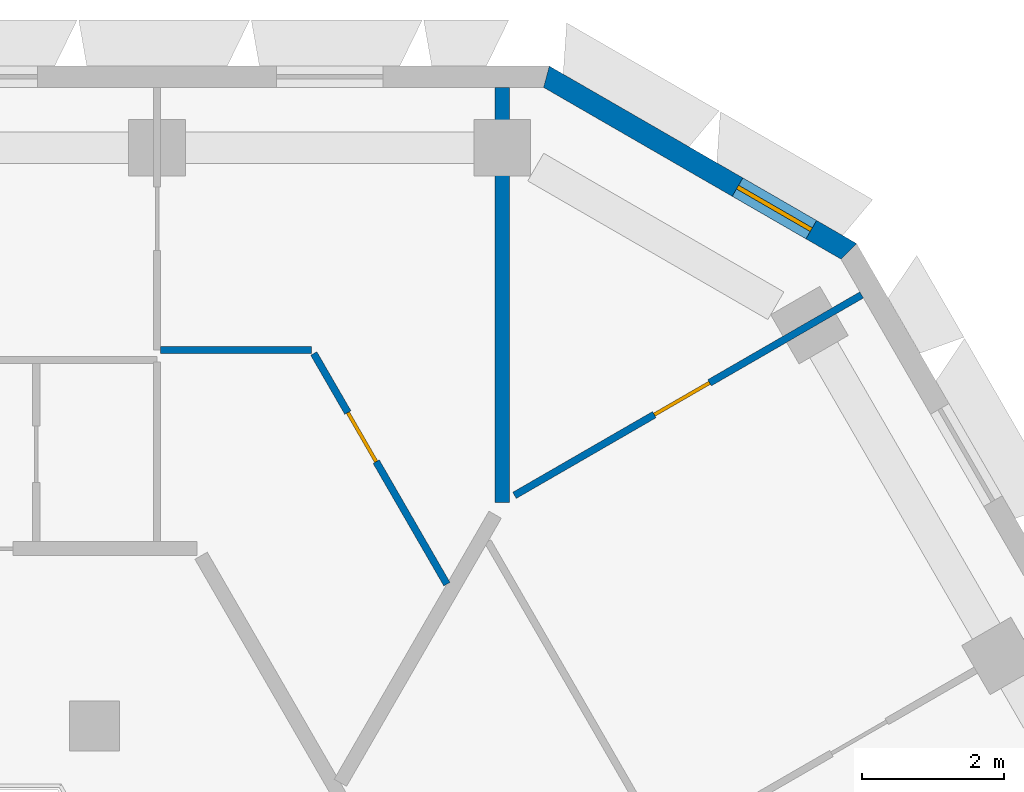
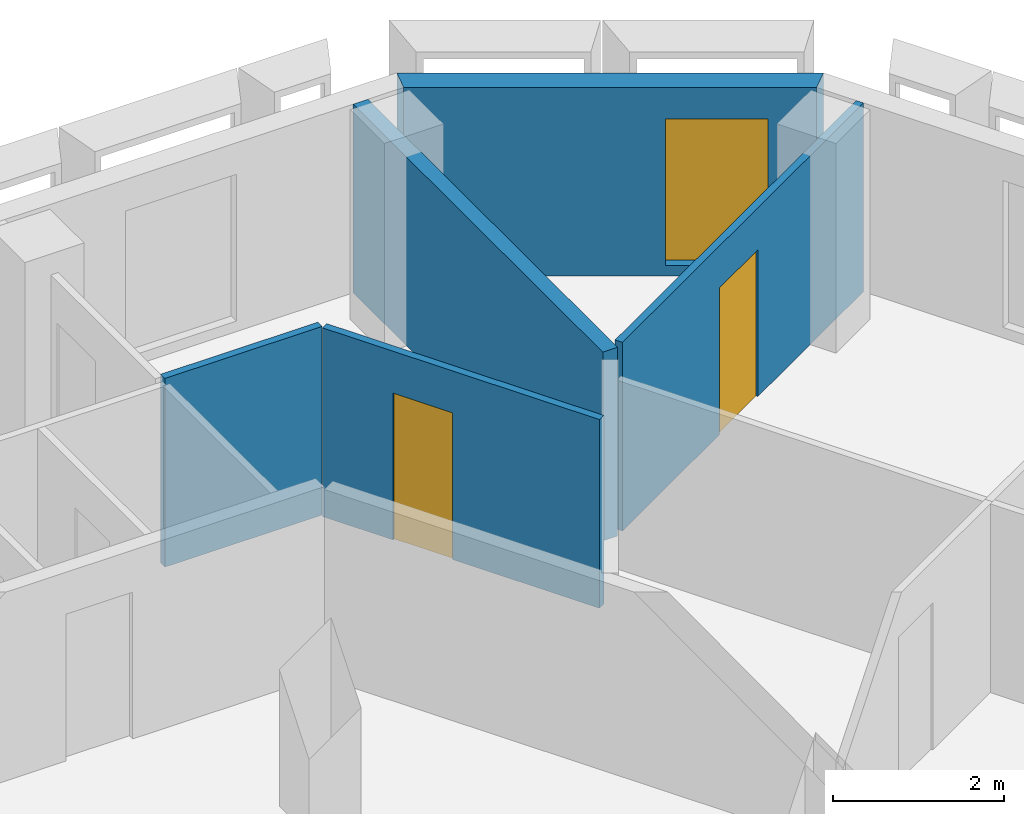
# One storey, part 8 of 15: 5 walls, 2 doors, 1 window, 3 openings.
"""IFC4 building model written with IfcOpenShell, lengths in metres."""

from ifc_helpers import new_model, si_unit, direction, frame, frame_2d, origin, place, context, subcontext, project, spatial, polyline, rectangle, outline, extrude, material, layer, layer_set, type_object, element, fill, save


model = new_model("IFC4")

# Units and contexts
model_context = context("Model", 3, precision=1e-05, world=origin(), true_north=direction((0.0, 1.0)))
body_context = subcontext(model_context, "Body", "Model", "MODEL_VIEW")
ifc_project = project(units=[si_unit("LENGTHUNIT", "METRE"), si_unit("AREAUNIT", "SQUARE_METRE"), si_unit("VOLUMEUNIT", "CUBIC_METRE"), si_unit("PLANEANGLEUNIT", "RADIAN"), si_unit("MASSUNIT", "GRAM", prefix="KILO")], contexts=[model_context])

# Site, building, storey
site_placement = place(None, origin())
site = spatial("IfcSite", under=ifc_project, at=site_placement, CompositionType="ELEMENT")
building_placement = place(site_placement, origin())
building = spatial("IfcBuilding", under=site, at=building_placement, Name="Beryl Residences", CompositionType="ELEMENT")
storey_placement = place(building_placement, frame((0.0, 0.0, 187.199951171875)))
storey = spatial("IfcBuildingStorey", under=building, at=storey_placement, Name="L57", CompositionType="ELEMENT", Elevation=187.199951171875)

# Wall, opening, window
ifc_material_1 = material(Name="Composite metal panel with mineral wool insulation")
ifc_layer_1 = layer(ifc_material_1, 0.300048828125)
ifc_layer_set_1 = layer_set([ifc_layer_1], Name="ES1 pale metal composite panel wall 300 mm")
wall_type_1 = type_object("IfcWallType", Name="ES1 pale metal composite panel wall 300 mm", PredefinedType="SOLIDWALL", material=ifc_layer_set_1)
wall_1_placement = place(storey_placement, frame((14.64697265625, 21.570068359375, 0.0), z_axis=(0.0, 0.0, 1.0), x_axis=(-0.866022959057, 0.500004234368, 0.0)))
wall_1 = element("IfcWall", 1, at=wall_1_placement, inside=storey, type_object=wall_type_1, Name="ES1 external wall L57 NE-N", PredefinedType="SOLIDWALL", context=body_context, shape_type="SweptSolid", body=[
    extrude(outline(polyline([(0.0, -0.14990234375), (5.0, -0.14990234375), (4.919677734375, 0.14990234375), (0.080322265625, 0.14990234375), (0.0, -0.14990234375)])), origin(), (0.0, 0.0, 1.0), 2.699951171875),
])
opening_1_placement = place(wall_1_placement, frame((0.64990234375, 0.0, 0.14990234375)))
opening_1 = element("IfcOpeningElement", 2, at=opening_1_placement, cuts=wall_1, Name="Opening W2", PredefinedType="OPENING", context=body_context, shape_type="SweptSolid", body=[
    extrude(rectangle(XDim=1.199951171875, YDim=2.10009765625, at=frame_2d((0.60009765625, 1.050048828125))), frame((0.0, 0.159912109375, 0.0), z_axis=(0.0, -1.0, 0.0), x_axis=(1.0, 0.0, 0.0)), (0.0, 0.0, 1.0), 0.320068359375),
])
ifc_material_2 = material(Name="Aluminium and clear glass", Category="aluminium")
window_type = type_object("IfcWindowType", Name="W2 chamfer window 1200 x 2100 mm", PartitioningType="SINGLE_PANEL", PredefinedType="WINDOW", material=ifc_material_2)
window_placement = place(opening_1_placement, origin())
window = element("IfcWindow", 3, at=window_placement, inside=storey, type_object=window_type, Name="W2 window L57 NE-N 1", OverallHeight=2.10009765625, OverallWidth=1.199951171875, PartitioningType="SINGLE_PANEL", PredefinedType="WINDOW", context=body_context, shape_type="SweptSolid", body=[
    extrude(rectangle(XDim=1.199951171875, YDim=2.10009765625, at=frame_2d((0.60009765625, 1.050048828125))), frame((0.0, 0.030029296875, 0.0), z_axis=(0.0, -1.0, 0.0), x_axis=(1.0, 0.0, 0.0)), (0.0, 0.0, 1.0), 0.06005859375),
])
fill(opening_1, window)

# Wall, opening, door
ifc_material_3 = material(Name="Gypsum board partition on steel studs", Category="steel")
ifc_layer_2 = layer(ifc_material_3, 0.10009765625)
ifc_layer_set_2 = layer_set([ifc_layer_2], Name="PT1 partition 100 mm gypsum board on steel studs")
wall_type_2 = type_object("IfcWallType", Name="PT1 partition 100 mm gypsum board on steel studs", PredefinedType="PARTITIONING", material=ifc_layer_set_2)
wall_2_placement = place(storey_placement, frame((7.072998046875, 20.14990234375, 0.0), z_axis=(0.0, 0.0, 1.0), x_axis=(0.499917691695, -0.866072919292, 0.0)))
wall_2 = element("IfcWall", 4, at=wall_2_placement, inside=storey, type_object=wall_type_2, Name="Wall PT1 L57 001", PredefinedType="PARTITIONING", context=body_context, shape_type="SweptSolid", body=[
    extrude(rectangle(XDim=3.752685546875, YDim=0.10009765625, at=frame_2d((1.87646484375, 0.0))), origin(), (0.0, 0.0, 1.0), 2.699951171875),
])
opening_2_placement = place(wall_2_placement, frame((0.9599609375, 0.0, 0.0)))
opening_2 = element("IfcOpeningElement", 5, at=opening_2_placement, cuts=wall_2, Name="Opening D1713", PredefinedType="OPENING", context=body_context, shape_type="SweptSolid", body=[
    extrude(rectangle(XDim=0.800048828125, YDim=2.10009765625, at=frame_2d((0.39990234375, 1.050048828125))), frame((0.0, 0.06005859375, 0.0), z_axis=(0.0, -1.0, 0.0), x_axis=(1.0, 0.0, 0.0)), (0.0, 0.0, 1.0), 0.1201171875),
])
ifc_material_4 = material(Name="Timber door leaf", Category="wood")
door_type_1 = type_object("IfcDoorType", Name="D3 bathroom door 800 x 2100 mm", OperationType="SINGLE_SWING_LEFT", PredefinedType="DOOR", material=ifc_material_4)
door_1_placement = place(opening_2_placement, origin())
door_1 = element("IfcDoor", 6, at=door_1_placement, inside=storey, type_object=door_type_1, Name="Door D1713 L57 001", OperationType="SINGLE_SWING_LEFT", OverallHeight=2.10009765625, OverallWidth=0.800048828125, PredefinedType="DOOR", context=body_context, shape_type="SweptSolid", body=[
    extrude(rectangle(XDim=0.800048828125, YDim=2.10009765625, at=frame_2d((0.39990234375, 1.050048828125))), frame((0.0, 0.02490234375, 0.0), z_axis=(0.0, -1.0, 0.0), x_axis=(1.0, 0.0, 0.0)), (0.0, 0.0, 1.0), 0.050048828125),
])
fill(opening_2, door_1)

# Wall
wall_3_placement = place(storey_placement, frame((4.9140625, 20.199951171875, 0.0), z_axis=(0.0, 0.0, 1.0), x_axis=(1.0, 0.0, 0.0)))
element("IfcWall", 7, at=wall_3_placement, inside=storey, type_object=wall_type_2, Name="Wall PT1 L57 023", PredefinedType="PARTITIONING", context=body_context, shape_type="SweptSolid", body=[
    extrude(rectangle(XDim=2.12890625, YDim=0.10009765625, at=frame_2d((1.064453125, 0.0))), origin(), (0.0, 0.0, 1.0), 2.699951171875),
])

# Wall, opening, door
wall_4_placement = place(storey_placement, frame((9.902099609375, 18.15087890625, 0.0), z_axis=(0.0, 0.0, 1.0), x_axis=(0.866032278734, 0.499988092049, 0.0)))
wall_4 = element("IfcWall", 8, at=wall_4_placement, inside=storey, type_object=wall_type_2, Name="Wall PT1 L57 039", PredefinedType="PARTITIONING", context=body_context, shape_type="SweptSolid", body=[
    extrude(rectangle(XDim=5.648681640625, YDim=0.10009765625, at=frame_2d((2.82421875, 0.0))), origin(), (0.0, 0.0, 1.0), 2.699951171875),
])
opening_3_placement = place(wall_4_placement, frame((2.27392578125, 0.0, 0.0)))
opening_3 = element("IfcOpeningElement", 9, at=opening_3_placement, cuts=wall_4, Name="Opening D1707", PredefinedType="OPENING", context=body_context, shape_type="SweptSolid", body=[
    extrude(rectangle(XDim=0.89990234375, YDim=2.10009765625, at=frame_2d((0.449951171875, 1.050048828125))), frame((0.0, 0.06005859375, 0.0), z_axis=(0.0, -1.0, 0.0), x_axis=(1.0, 0.0, 0.0)), (0.0, 0.0, 1.0), 0.1201171875),
])
ifc_material_5 = material(Name="Timber door leaf", Category="wood")
door_type_2 = type_object("IfcDoorType", Name="D2 room door 900 x 2100 mm", OperationType="SINGLE_SWING_LEFT", PredefinedType="DOOR", material=ifc_material_5)
door_2_placement = place(opening_3_placement, origin())
door_2 = element("IfcDoor", 10, at=door_2_placement, inside=storey, type_object=door_type_2, Name="Door D1707 L57 001", OperationType="SINGLE_SWING_LEFT", OverallHeight=2.10009765625, OverallWidth=0.89990234375, PredefinedType="DOOR", context=body_context, shape_type="SweptSolid", body=[
    extrude(rectangle(XDim=0.89990234375, YDim=2.10009765625, at=frame_2d((0.449951171875, 1.050048828125))), frame((0.0, 0.02490234375, 0.0), z_axis=(0.0, -1.0, 0.0), x_axis=(1.0, 0.0, 0.0)), (0.0, 0.0, 1.0), 0.050048828125),
])
fill(opening_3, door_2)

# Wall
ifc_material_6 = material(Name="Acoustic double stud gypsum board wall")
ifc_layer_3 = layer(ifc_material_6, 0.199951171875)
ifc_layer_set_3 = layer_set([ifc_layer_3], Name="PT3 party wall 200 mm acoustic double stud")
wall_type_3 = type_object("IfcWallType", Name="PT3 party wall 200 mm acoustic double stud", PredefinedType="PARTITIONING", material=ifc_layer_set_3)
wall_5_placement = place(storey_placement, frame((9.72802734375, 18.049072265625, 0.0), z_axis=(0.0, 0.0, 1.0), x_axis=(0.0, 1.0, 0.0)))
element("IfcWall", 11, at=wall_5_placement, inside=storey, type_object=wall_type_3, Name="Wall PT3 L57 008", PredefinedType="PARTITIONING", context=body_context, shape_type="SweptSolid", body=[
    extrude(rectangle(XDim=5.850830078125, YDim=0.199951171875, at=frame_2d((2.92529296875, 0.0))), origin(), (0.0, 0.0, 1.0), 2.699951171875),
])

save(model, "model.ifc")
